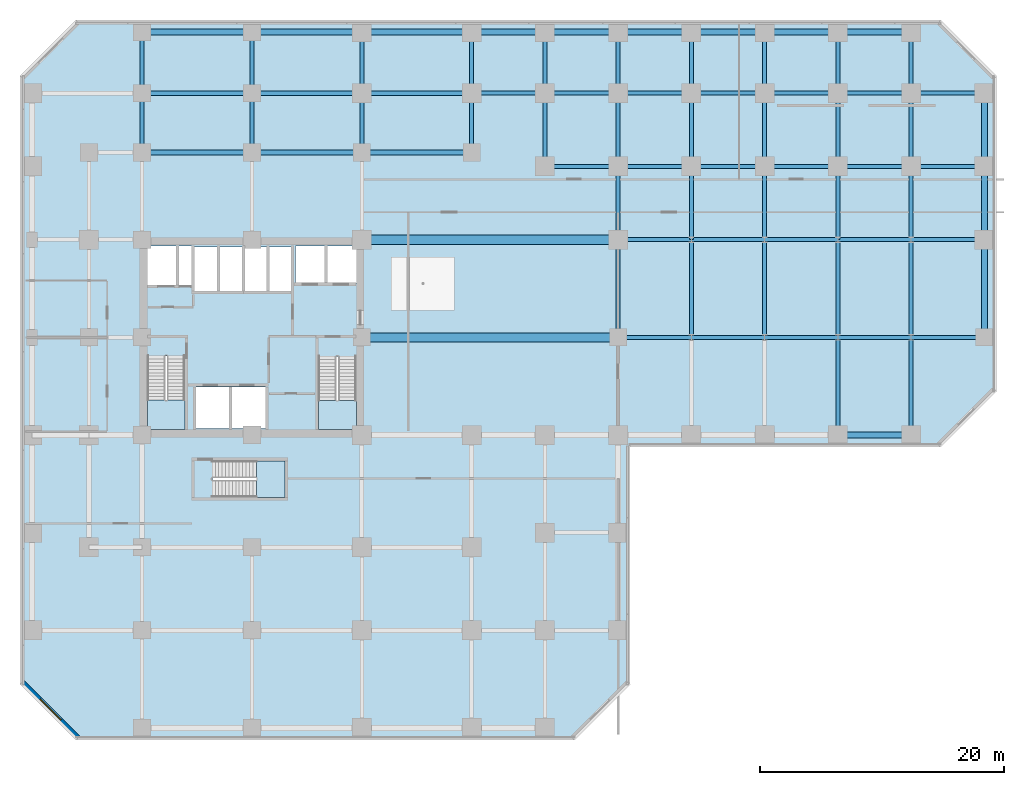
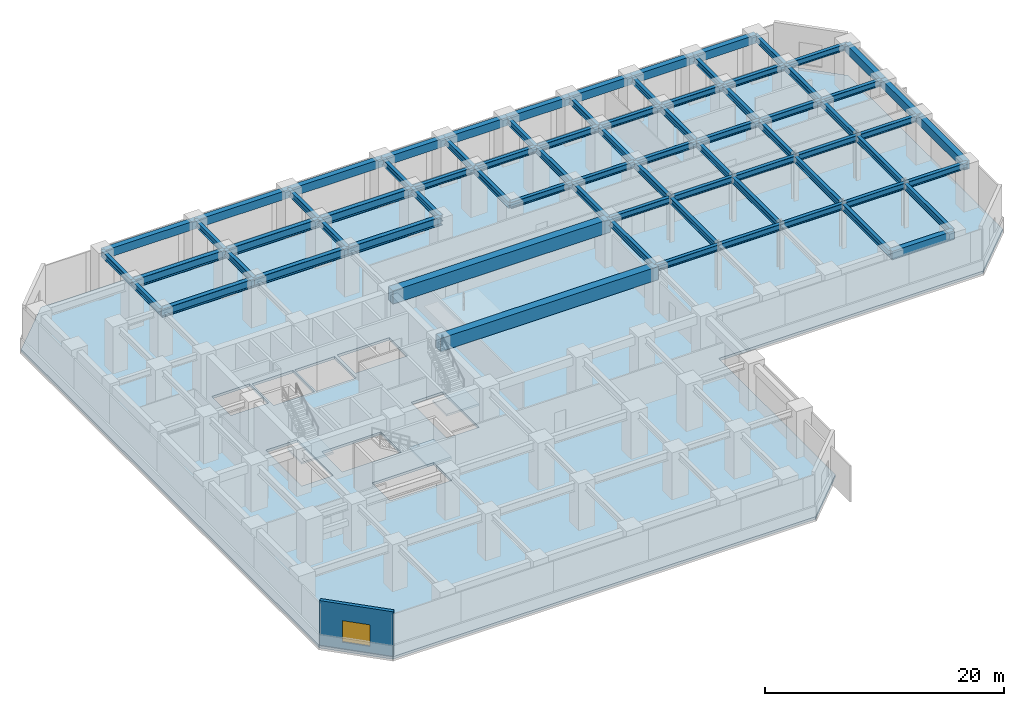
# One storey, part 2 of 12: 76 beams, 4 slabs, 1 wall, 1 window, 1 opening, 3 elements without a shape of their own.
"""IFC4 building model written with IfcOpenShell, lengths in metres."""

from ifc_helpers import new_model, si_unit, direction, frame, frame_2d, origin, origin_2d, place, context, subcontext, project, spatial, polyline, rectangle, i_section, outline, extrude, source, transform, mapped, material, layer, layer_set, material_profile, profile_set, type_object, element, fill, aggregate, save


model = new_model("IFC4")

# Units and contexts
model_context = context("Model", 3, precision=1e-05, world=origin(), true_north=direction((0.0, 1.0)))
body_context = subcontext(model_context, "Body", "Model", "MODEL_VIEW")
ifc_project = project(units=[si_unit("LENGTHUNIT", "METRE"), si_unit("AREAUNIT", "SQUARE_METRE"), si_unit("VOLUMEUNIT", "CUBIC_METRE"), si_unit("PLANEANGLEUNIT", "RADIAN"), si_unit("MASSUNIT", "GRAM", prefix="KILO")], contexts=[model_context])

# Site, building, storey
site_placement = place(None, origin())
site = spatial("IfcSite", under=ifc_project, at=site_placement, CompositionType="ELEMENT")
building_placement = place(site_placement, origin())
building = spatial("IfcBuilding", under=site, at=building_placement, Name="Torre Montelarca", CompositionType="ELEMENT")
storey_placement = place(building_placement, frame((0.0, 0.0, 17.39990234375)))
storey = spatial("IfcBuildingStorey", under=building, at=storey_placement, Name="L04", CompositionType="ELEMENT", Elevation=17.39990234375)

# Beams
ifc_material_1 = material(Name="Concrete C55/67", Category="concrete")
ifc_material_profile_1 = material_profile(ifc_material_1, rectangle(XDim=0.5, YDim=0.85009765625, at=origin_2d()), Name="RCB500X850", Category="concrete")
ifc_profile_set_1 = profile_set([ifc_material_profile_1], Name="Concrete C55/67")
beam_type_1 = type_object("IfcBeamType", Name="BM-SP-RC850-EXT", PredefinedType="SPANDREL", material=ifc_profile_set_1)
shared_shape_1 = source(origin(), body_context, "Body", "SweptSolid", [
    extrude(rectangle(XDim=0.5, YDim=0.85009765625, at=origin_2d()), origin(), (0.0, 0.0, 1.0), 9.0),
])
for number, where, z_axis, x_axis, name in (
    (1, (9.0, 57.0, 4.114990234375), (1.0, 0.0, 0.0), (0.0, 1.0, 0.0), "L04 Grid Girder X 9.0-18.0 at Y=57.0"),
    (2, (18.0, 57.0, 4.114990234375), (1.0, 0.0, 0.0), (0.0, 1.0, 0.0), "L04 Grid Girder X 18.0-27.0 at Y=57.0"),
    (3, (27.0, 57.0, 4.114990234375), (1.0, 0.0, 0.0), (0.0, 1.0, 0.0), "L04 Grid Girder X 27.0-36.0 at Y=57.0"),
):
    element("IfcBeam", number, at=place(storey_placement, frame(where, z_axis=z_axis, x_axis=x_axis)), inside=storey, type_object=beam_type_1, Name=name, PredefinedType="SPANDREL", context=body_context, shape_type="MappedRepresentation", body=[
        mapped(shared_shape_1, transform((0.0, 0.0, 0.0), scale=1.0)),
    ])
shared_shape_2 = source(origin(), body_context, "Body", "SweptSolid", [
    extrude(rectangle(XDim=0.5, YDim=0.85009765625, at=origin_2d()), origin(), (0.0, 0.0, 1.0), 6.0),
])
for number, where, z_axis, x_axis, name in (
    (4, (66.0, 24.0, 4.114990234375), (1.0, 0.0, 0.0), (0.0, 1.0, 0.0), "L04 Grid Girder X 66.0-72.0 at Y=24.0"),
    (5, (36.0, 57.0, 4.114990234375), (1.0, 0.0, 0.0), (0.0, 1.0, 0.0), "L04 Grid Girder X 36.0-42.0 at Y=57.0"),
    (6, (42.0, 57.0, 4.114990234375), (1.0, 0.0, 0.0), (0.0, 1.0, 0.0), "L04 Grid Girder X 42.0-48.0 at Y=57.0"),
    (7, (48.0, 57.0, 4.114990234375), (1.0, 0.0, 0.0), (0.0, 1.0, 0.0), "L04 Grid Girder X 48.0-54.0 at Y=57.0"),
    (8, (54.0, 57.0, 4.114990234375), (1.0, 0.0, 0.0), (0.0, 1.0, 0.0), "L04 Grid Girder X 54.0-60.0 at Y=57.0"),
    (9, (60.0, 57.0, 4.114990234375), (1.0, 0.0, 0.0), (0.0, 1.0, 0.0), "L04 Grid Girder X 60.0-66.0 at Y=57.0"),
    (10, (66.0, 57.0, 4.114990234375), (1.0, 0.0, 0.0), (0.0, 1.0, 0.0), "L04 Grid Girder X 66.0-72.0 at Y=57.0"),
    (11, (78.0, 40.0, 4.114990234375), (0.0, 1.0, 0.0), (-1.0, 0.0, 0.0), "L04 Grid Girder Y 40.0-46.0 at X=78.0"),
    (12, (78.0, 46.0, 4.114990234375), (0.0, 1.0, 0.0), (-1.0, 0.0, 0.0), "L04 Grid Girder Y 46.0-52.0 at X=78.0"),
):
    element("IfcBeam", number, at=place(storey_placement, frame(where, z_axis=z_axis, x_axis=x_axis)), inside=storey, type_object=beam_type_1, Name=name, PredefinedType="SPANDREL", context=body_context, shape_type="MappedRepresentation", body=[
        mapped(shared_shape_2, transform((0.0, 0.0, 0.0), scale=1.0)),
    ])
ifc_material_2 = material(Name="Steel ASTM A992 Grade 50", Category="steel")
ifc_material_profile_2 = material_profile(ifc_material_2, i_section(OverallWidth=0.39990234375, OverallDepth=0.85498046875, WebThickness=0.018310546875, FlangeThickness=0.029296875, FilletRadius=0.02001953125, at=origin_2d()), Name="W840X299", Category="steel")
ifc_profile_set_2 = profile_set([ifc_material_profile_2], Name="Steel ASTM A992 Grade 50")
beam_type_2 = type_object("IfcBeamType", Name="BM-G-W840", PredefinedType="BEAM", material=ifc_profile_set_2)
shared_shape_3 = source(origin(), body_context, "Body", "SweptSolid", [
    extrude(i_section(OverallWidth=0.39990234375, OverallDepth=0.85498046875, WebThickness=0.018310546875, FlangeThickness=0.029296875, FilletRadius=0.02001953125, at=origin_2d()), origin(), (0.0, 0.0, 1.0), 9.0),
])
for number, where, z_axis, x_axis, name in (
    (13, (9.0, 47.14990234375, 4.112060546875), (1.0, 0.0, 0.0), (0.0, 1.0, 0.0), "L04 Grid Girder X 9.0-18.0 at Y=47.1"),
    (14, (18.0, 47.14990234375, 4.112060546875), (1.0, 0.0, 0.0), (0.0, 1.0, 0.0), "L04 Grid Girder X 18.0-27.0 at Y=47.1"),
    (15, (27.0, 47.14990234375, 4.112060546875), (1.0, 0.0, 0.0), (0.0, 1.0, 0.0), "L04 Grid Girder X 27.0-36.0 at Y=47.1"),
    (16, (9.0, 52.0, 4.112060546875), (1.0, 0.0, 0.0), (0.0, 1.0, 0.0), "L04 Grid Girder X 9.0-18.0 at Y=52.0"),
    (17, (18.0, 52.0, 4.112060546875), (1.0, 0.0, 0.0), (0.0, 1.0, 0.0), "L04 Grid Girder X 18.0-27.0 at Y=52.0"),
    (18, (27.0, 52.0, 4.112060546875), (1.0, 0.0, 0.0), (0.0, 1.0, 0.0), "L04 Grid Girder X 27.0-36.0 at Y=52.0"),
):
    element("IfcBeam", number, at=place(storey_placement, frame(where, z_axis=z_axis, x_axis=x_axis)), inside=storey, type_object=beam_type_2, Name=name, PredefinedType="BEAM", context=body_context, shape_type="MappedRepresentation", body=[
        mapped(shared_shape_3, transform((0.0, 0.0, 0.0), scale=1.0)),
    ])
ifc_material_profile_3 = material_profile(ifc_material_2, i_section(OverallWidth=0.326904296875, OverallDepth=0.6220703125, WebThickness=0.015380859375, FlangeThickness=0.0244140625, FilletRadius=0.014892578125, at=origin_2d()), Name="W610X195", Category="steel")
ifc_profile_set_3 = profile_set([ifc_material_profile_3], Name="Steel ASTM A992 Grade 50")
beam_type_3 = type_object("IfcBeamType", Name="BM-G-W610H", PredefinedType="BEAM", material=ifc_profile_set_3)
shared_shape_4 = source(origin(), body_context, "Body", "SweptSolid", [
    extrude(i_section(OverallWidth=0.326904296875, OverallDepth=0.6220703125, WebThickness=0.015380859375, FlangeThickness=0.0244140625, FilletRadius=0.014892578125, at=origin_2d()), origin(), (0.0, 0.0, 1.0), 6.0),
])
for number, where, z_axis, x_axis, name in (
    (19, (48.0, 32.0, 4.22900390625), (1.0, 0.0, 0.0), (0.0, 1.0, 0.0), "L04 Grid Girder X 48.0-54.0 at Y=32.0"),
    (20, (54.0, 32.0, 4.22900390625), (1.0, 0.0, 0.0), (0.0, 1.0, 0.0), "L04 Grid Girder X 54.0-60.0 at Y=32.0"),
    (21, (60.0, 32.0, 4.22900390625), (1.0, 0.0, 0.0), (0.0, 1.0, 0.0), "L04 Grid Girder X 60.0-66.0 at Y=32.0"),
    (22, (66.0, 32.0, 4.22900390625), (1.0, 0.0, 0.0), (0.0, 1.0, 0.0), "L04 Grid Girder X 66.0-72.0 at Y=32.0"),
    (23, (72.0, 32.0, 4.22900390625), (1.0, 0.0, 0.0), (0.0, 1.0, 0.0), "L04 Grid Girder X 72.0-78.0 at Y=32.0"),
    (24, (48.0, 40.0, 4.22900390625), (1.0, 0.0, 0.0), (0.0, 1.0, 0.0), "L04 Grid Girder X 48.0-54.0 at Y=40.0"),
    (25, (54.0, 40.0, 4.22900390625), (1.0, 0.0, 0.0), (0.0, 1.0, 0.0), "L04 Grid Girder X 54.0-60.0 at Y=40.0"),
    (26, (60.0, 40.0, 4.22900390625), (1.0, 0.0, 0.0), (0.0, 1.0, 0.0), "L04 Grid Girder X 60.0-66.0 at Y=40.0"),
    (27, (66.0, 40.0, 4.22900390625), (1.0, 0.0, 0.0), (0.0, 1.0, 0.0), "L04 Grid Girder X 66.0-72.0 at Y=40.0"),
    (28, (72.0, 40.0, 4.22900390625), (1.0, 0.0, 0.0), (0.0, 1.0, 0.0), "L04 Grid Girder X 72.0-78.0 at Y=40.0"),
    (29, (42.0, 46.0, 4.22900390625), (1.0, 0.0, 0.0), (0.0, 1.0, 0.0), "L04 Grid Girder X 42.0-48.0 at Y=46.0"),
    (30, (48.0, 46.0, 4.22900390625), (1.0, 0.0, 0.0), (0.0, 1.0, 0.0), "L04 Grid Girder X 48.0-54.0 at Y=46.0"),
    (31, (54.0, 46.0, 4.22900390625), (1.0, 0.0, 0.0), (0.0, 1.0, 0.0), "L04 Grid Girder X 54.0-60.0 at Y=46.0"),
    (32, (60.0, 46.0, 4.22900390625), (1.0, 0.0, 0.0), (0.0, 1.0, 0.0), "L04 Grid Girder X 60.0-66.0 at Y=46.0"),
    (33, (66.0, 46.0, 4.22900390625), (1.0, 0.0, 0.0), (0.0, 1.0, 0.0), "L04 Grid Girder X 66.0-72.0 at Y=46.0"),
    (34, (72.0, 46.0, 4.22900390625), (1.0, 0.0, 0.0), (0.0, 1.0, 0.0), "L04 Grid Girder X 72.0-78.0 at Y=46.0"),
    (35, (36.0, 52.0, 4.22900390625), (1.0, 0.0, 0.0), (0.0, 1.0, 0.0), "L04 Grid Girder X 36.0-42.0 at Y=52.0"),
    (36, (42.0, 52.0, 4.22900390625), (1.0, 0.0, 0.0), (0.0, 1.0, 0.0), "L04 Grid Girder X 42.0-48.0 at Y=52.0"),
    (37, (48.0, 52.0, 4.22900390625), (1.0, 0.0, 0.0), (0.0, 1.0, 0.0), "L04 Grid Girder X 48.0-54.0 at Y=52.0"),
    (38, (54.0, 52.0, 4.22900390625), (1.0, 0.0, 0.0), (0.0, 1.0, 0.0), "L04 Grid Girder X 54.0-60.0 at Y=52.0"),
    (39, (60.0, 52.0, 4.22900390625), (1.0, 0.0, 0.0), (0.0, 1.0, 0.0), "L04 Grid Girder X 60.0-66.0 at Y=52.0"),
    (40, (66.0, 52.0, 4.22900390625), (1.0, 0.0, 0.0), (0.0, 1.0, 0.0), "L04 Grid Girder X 66.0-72.0 at Y=52.0"),
    (41, (72.0, 52.0, 4.22900390625), (1.0, 0.0, 0.0), (0.0, 1.0, 0.0), "L04 Grid Girder X 72.0-78.0 at Y=52.0"),
    (42, (42.0, 46.0, 4.22900390625), (0.0, 1.0, 0.0), (-1.0, 0.0, 0.0), "L04 Grid Girder Y 46.0-52.0 at X=42.0"),
    (43, (48.0, 40.0, 4.22900390625), (0.0, 1.0, 0.0), (-1.0, 0.0, 0.0), "L04 Grid Girder Y 40.0-46.0 at X=48.0"),
    (44, (48.0, 46.0, 4.22900390625), (0.0, 1.0, 0.0), (-1.0, 0.0, 0.0), "L04 Grid Girder Y 46.0-52.0 at X=48.0"),
    (45, (54.0, 40.0, 4.22900390625), (0.0, 1.0, 0.0), (-1.0, 0.0, 0.0), "L04 Grid Girder Y 40.0-46.0 at X=54.0"),
    (46, (54.0, 46.0, 4.22900390625), (0.0, 1.0, 0.0), (-1.0, 0.0, 0.0), "L04 Grid Girder Y 46.0-52.0 at X=54.0"),
    (47, (60.0, 40.0, 4.22900390625), (0.0, 1.0, 0.0), (-1.0, 0.0, 0.0), "L04 Grid Girder Y 40.0-46.0 at X=60.0"),
    (48, (60.0, 46.0, 4.22900390625), (0.0, 1.0, 0.0), (-1.0, 0.0, 0.0), "L04 Grid Girder Y 46.0-52.0 at X=60.0"),
    (49, (66.0, 40.0, 4.22900390625), (0.0, 1.0, 0.0), (-1.0, 0.0, 0.0), "L04 Grid Girder Y 40.0-46.0 at X=66.0"),
    (50, (66.0, 46.0, 4.22900390625), (0.0, 1.0, 0.0), (-1.0, 0.0, 0.0), "L04 Grid Girder Y 46.0-52.0 at X=66.0"),
    (51, (72.0, 40.0, 4.22900390625), (0.0, 1.0, 0.0), (-1.0, 0.0, 0.0), "L04 Grid Girder Y 40.0-46.0 at X=72.0"),
    (52, (72.0, 46.0, 4.22900390625), (0.0, 1.0, 0.0), (-1.0, 0.0, 0.0), "L04 Grid Girder Y 46.0-52.0 at X=72.0"),
):
    element("IfcBeam", number, at=place(storey_placement, frame(where, z_axis=z_axis, x_axis=x_axis)), inside=storey, type_object=beam_type_3, Name=name, PredefinedType="BEAM", context=body_context, shape_type="MappedRepresentation", body=[
        mapped(shared_shape_4, transform((0.0, 0.0, 0.0), scale=1.0)),
    ])
shared_shape_5 = source(origin(), body_context, "Body", "SweptSolid", [
    extrude(rectangle(XDim=0.5, YDim=0.85009765625, at=origin_2d()), origin(), (0.0, 0.0, 1.0), 8.0),
])
beam_placement = place(storey_placement, frame((78.0, 32.0, 4.114990234375), z_axis=(0.0, 1.0, 0.0), x_axis=(-1.0, 0.0, 0.0)))
element("IfcBeam", 53, at=beam_placement, inside=storey, type_object=beam_type_1, Name="L04 Grid Girder Y 32.0-40.0 at X=78.0", PredefinedType="SPANDREL", context=body_context, shape_type="MappedRepresentation", body=[
    mapped(shared_shape_5, transform((0.0, 0.0, 0.0), scale=1.0)),
])
shared_shape_6 = source(origin(), body_context, "Body", "SweptSolid", [
    extrude(i_section(OverallWidth=0.326904296875, OverallDepth=0.6220703125, WebThickness=0.015380859375, FlangeThickness=0.0244140625, FilletRadius=0.014892578125, at=origin_2d()), origin(), (0.0, 0.0, 1.0), 8.0),
])
for number, where, z_axis, x_axis, name in (
    (54, (48.0, 32.0, 4.22900390625), (0.0, 1.0, 0.0), (-1.0, 0.0, 0.0), "L04 Grid Girder Y 32.0-40.0 at X=48.0"),
    (55, (54.0, 32.0, 4.22900390625), (0.0, 1.0, 0.0), (-1.0, 0.0, 0.0), "L04 Grid Girder Y 32.0-40.0 at X=54.0"),
    (56, (60.0, 32.0, 4.22900390625), (0.0, 1.0, 0.0), (-1.0, 0.0, 0.0), "L04 Grid Girder Y 32.0-40.0 at X=60.0"),
    (57, (66.0, 24.0, 4.22900390625), (0.0, 1.0, 0.0), (-1.0, 0.0, 0.0), "L04 Grid Girder Y 24.0-32.0 at X=66.0"),
    (58, (66.0, 32.0, 4.22900390625), (0.0, 1.0, 0.0), (-1.0, 0.0, 0.0), "L04 Grid Girder Y 32.0-40.0 at X=66.0"),
    (59, (72.0, 24.0, 4.22900390625), (0.0, 1.0, 0.0), (-1.0, 0.0, 0.0), "L04 Grid Girder Y 24.0-32.0 at X=72.0"),
    (60, (72.0, 32.0, 4.22900390625), (0.0, 1.0, 0.0), (-1.0, 0.0, 0.0), "L04 Grid Girder Y 32.0-40.0 at X=72.0"),
):
    element("IfcBeam", number, at=place(storey_placement, frame(where, z_axis=z_axis, x_axis=x_axis)), inside=storey, type_object=beam_type_3, Name=name, PredefinedType="BEAM", context=body_context, shape_type="MappedRepresentation", body=[
        mapped(shared_shape_6, transform((0.0, 0.0, 0.0), scale=1.0)),
    ])
shared_shape_7 = source(origin(), body_context, "Body", "SweptSolid", [
    extrude(i_section(OverallWidth=0.326904296875, OverallDepth=0.6220703125, WebThickness=0.015380859375, FlangeThickness=0.0244140625, FilletRadius=0.014892578125, at=origin_2d()), origin(), (0.0, 0.0, 1.0), 4.85009765625),
])
for number, where, z_axis, x_axis, name in (
    (61, (9.0, 47.14990234375, 4.22900390625), (0.0, 1.0, 0.0), (-1.0, 0.0, 0.0), "L04 Grid Girder Y 47.1-52.0 at X=9.0"),
    (62, (18.0, 47.14990234375, 4.22900390625), (0.0, 1.0, 0.0), (-1.0, 0.0, 0.0), "L04 Grid Girder Y 47.1-52.0 at X=18.0"),
    (63, (27.0, 47.14990234375, 4.22900390625), (0.0, 1.0, 0.0), (-1.0, 0.0, 0.0), "L04 Grid Girder Y 47.1-52.0 at X=27.0"),
    (64, (36.0, 47.14990234375, 4.22900390625), (0.0, 1.0, 0.0), (-1.0, 0.0, 0.0), "L04 Grid Girder Y 47.1-52.0 at X=36.0"),
):
    element("IfcBeam", number, at=place(storey_placement, frame(where, z_axis=z_axis, x_axis=x_axis)), inside=storey, type_object=beam_type_3, Name=name, PredefinedType="BEAM", context=body_context, shape_type="MappedRepresentation", body=[
        mapped(shared_shape_7, transform((0.0, 0.0, 0.0), scale=1.0)),
    ])
shared_shape_8 = source(origin(), body_context, "Body", "SweptSolid", [
    extrude(i_section(OverallWidth=0.326904296875, OverallDepth=0.6220703125, WebThickness=0.015380859375, FlangeThickness=0.0244140625, FilletRadius=0.014892578125, at=origin_2d()), origin(), (0.0, 0.0, 1.0), 5.0),
])
for number, where, z_axis, x_axis, name in (
    (65, (9.0, 52.0, 4.22900390625), (0.0, 1.0, 0.0), (-1.0, 0.0, 0.0), "L04 Grid Girder Y 52.0-57.0 at X=9.0"),
    (66, (18.0, 52.0, 4.22900390625), (0.0, 1.0, 0.0), (-1.0, 0.0, 0.0), "L04 Grid Girder Y 52.0-57.0 at X=18.0"),
    (67, (27.0, 52.0, 4.22900390625), (0.0, 1.0, 0.0), (-1.0, 0.0, 0.0), "L04 Grid Girder Y 52.0-57.0 at X=27.0"),
    (68, (36.0, 52.0, 4.22900390625), (0.0, 1.0, 0.0), (-1.0, 0.0, 0.0), "L04 Grid Girder Y 52.0-57.0 at X=36.0"),
    (69, (42.0, 52.0, 4.22900390625), (0.0, 1.0, 0.0), (-1.0, 0.0, 0.0), "L04 Grid Girder Y 52.0-57.0 at X=42.0"),
    (70, (48.0, 52.0, 4.22900390625), (0.0, 1.0, 0.0), (-1.0, 0.0, 0.0), "L04 Grid Girder Y 52.0-57.0 at X=48.0"),
    (71, (54.0, 52.0, 4.22900390625), (0.0, 1.0, 0.0), (-1.0, 0.0, 0.0), "L04 Grid Girder Y 52.0-57.0 at X=54.0"),
    (72, (60.0, 52.0, 4.22900390625), (0.0, 1.0, 0.0), (-1.0, 0.0, 0.0), "L04 Grid Girder Y 52.0-57.0 at X=60.0"),
    (73, (66.0, 52.0, 4.22900390625), (0.0, 1.0, 0.0), (-1.0, 0.0, 0.0), "L04 Grid Girder Y 52.0-57.0 at X=66.0"),
    (74, (72.0, 52.0, 4.22900390625), (0.0, 1.0, 0.0), (-1.0, 0.0, 0.0), "L04 Grid Girder Y 52.0-57.0 at X=72.0"),
):
    element("IfcBeam", number, at=place(storey_placement, frame(where, z_axis=z_axis, x_axis=x_axis)), inside=storey, type_object=beam_type_3, Name=name, PredefinedType="BEAM", context=body_context, shape_type="MappedRepresentation", body=[
        mapped(shared_shape_8, transform((0.0, 0.0, 0.0), scale=1.0)),
    ])
ifc_material_profile_4 = material_profile(ifc_material_1, rectangle(XDim=0.75, YDim=1.35009765625, at=origin_2d()), Name="RCB750X1350", Category="concrete")
ifc_profile_set_4 = profile_set([ifc_material_profile_4], Name="Concrete C55/67")
beam_type_4 = type_object("IfcBeamType", Name="BM-TB-RC1350", PredefinedType="T_BEAM", material=ifc_profile_set_4)
shared_shape_9 = source(origin(), body_context, "Body", "SweptSolid", [
    extrude(rectangle(XDim=0.75, YDim=1.35009765625, at=origin_2d()), origin(), (0.0, 0.0, 1.0), 21.0),
])
for number, where, z_axis, x_axis, name in (
    (75, (27.0, 32.0, 3.864990234375), (1.0, 0.0, 0.0), (0.0, 1.0, 0.0), "L04 Long-Span Hall T-Beam Y=32m"),
    (76, (27.0, 40.0, 3.864990234375), (1.0, 0.0, 0.0), (0.0, 1.0, 0.0), "L04 Long-Span Hall T-Beam Y=40m"),
):
    element("IfcBeam", number, at=place(storey_placement, frame(where, z_axis=z_axis, x_axis=x_axis)), inside=storey, type_object=beam_type_4, Name=name, PredefinedType="T_BEAM", context=body_context, shape_type="MappedRepresentation", body=[
        mapped(shared_shape_9, transform((0.0, 0.0, 0.0), scale=1.0)),
    ])

# Slab
ifc_material_3 = material(Name="Concrete C40/50", Category="concrete")
ifc_layer_1 = layer(ifc_material_3, 0.260009765625, Name="Concrete C40/50", Category="concrete")
ifc_layer_set_1 = layer_set([ifc_layer_1], Name="Concrete C40/50")
slab_type_1 = type_object("IfcSlabType", Name="SL-FLR-260", PredefinedType="FLOOR", material=ifc_layer_set_1)
slab_1_placement = place(storey_placement, frame((0.0, 0.0, -0.260009765625)))
element("IfcSlab", 77, at=slab_1_placement, inside=storey, type_object=slab_type_1, Name="L04 Structural Floor Slab", PredefinedType="FLOOR", context=body_context, shape_type="SweptSolid", body=[
    extrude(outline(polyline([(44.39990234375, -0.89990234375), (48.89990234375, 3.60009765625), (48.89990234375, 23.10009765625), (74.39990234375, 23.10009765625), (78.89990234375, 27.60009765625), (78.89990234375, 53.39990234375), (74.39990234375, 57.89990234375), (3.60009765625, 57.89990234375), (-0.89990234375, 53.39990234375), (-0.89990234375, 3.60009765625), (3.60009765625, -0.89990234375), (44.39990234375, -0.89990234375)]), holes=[polyline([(20.699951171875, 18.89990234375), (14.760009765625, 18.89990234375), (14.760009765625, 21.889892578125), (20.699951171875, 21.889892578125), (20.699951171875, 18.89990234375)]), polyline([(19.10009765625, 24.550048828125), (13.39990234375, 24.550048828125), (13.39990234375, 27.949951171875), (19.10009765625, 27.949951171875), (19.10009765625, 24.550048828125)]), polyline([(23.43994140625, 24.449951171875), (23.43994140625, 30.429931640625), (26.550048828125, 30.429931640625), (26.550048828125, 24.449951171875), (23.43994140625, 24.449951171875)]), polyline([(9.449951171875, 24.449951171875), (9.449951171875, 30.4599609375), (12.5, 30.4599609375), (12.5, 24.449951171875), (9.449951171875, 24.449951171875)]), polyline([(17.25, 35.800048828125), (13.300048828125, 35.800048828125), (13.300048828125, 39.39990234375), (17.25, 39.39990234375), (17.25, 35.800048828125)]), polyline([(21.25, 35.800048828125), (17.39990234375, 35.800048828125), (17.39990234375, 39.39990234375), (21.25, 39.39990234375), (21.25, 35.800048828125)]), polyline([(13.1201171875, 36.300048828125), (9.449951171875, 36.300048828125), (9.449951171875, 39.5), (13.1201171875, 39.5), (13.1201171875, 36.300048828125)]), polyline([(26.60009765625, 36.449951171875), (21.550048828125, 36.449951171875), (21.550048828125, 39.5), (26.60009765625, 39.5), (26.60009765625, 36.449951171875)])]), origin(), (0.0, 0.0, 1.0), 0.260009765625),
])

# Stair, slab
stair_type_1 = type_object("IfcStairType", Name="ST-CORE-ST1", PredefinedType="HALF_TURN_STAIR", material=ifc_material_3)
stair_1_placement = place(storey_placement, origin())
stair_1 = element("IfcStair", 78, at=stair_1_placement, inside=storey, type_object=stair_type_1, Name="L04 Protected Exit Stair ST1", PredefinedType="HALF_TURN_STAIR")
ifc_layer_2 = layer(ifc_material_3, 0.199951171875, Name="Concrete C40/50", Category="concrete")
ifc_layer_set_2 = layer_set([ifc_layer_2], Name="Concrete C40/50")
slab_type_2 = type_object("IfcSlabType", Name="SL-ST-LAND-ST1", PredefinedType="LANDING", material=ifc_layer_set_2)
slab_2_placement = place(storey_placement, frame((0.0, 0.0, 2.2001953125)))
slab_2 = element("IfcSlab", 79, at=slab_2_placement, type_object=slab_type_2, Name="ST1 landing 1", PredefinedType="LANDING", context=body_context, shape_type="SweptSolid", body=[
    extrude(outline(polyline([(9.449951171875, 26.860107421875), (9.449951171875, 24.449951171875), (12.5, 24.449951171875), (12.5, 26.860107421875), (9.449951171875, 26.860107421875)])), origin(), (0.0, 0.0, 1.0), 0.199951171875),
])
aggregate(stair_1, [slab_2])

stair_type_2 = type_object("IfcStairType", Name="ST-CORE-ST2", PredefinedType="HALF_TURN_STAIR", material=ifc_material_3)
stair_2_placement = place(storey_placement, origin())
stair_2 = element("IfcStair", 80, at=stair_2_placement, inside=storey, type_object=stair_type_2, Name="L04 Protected Exit Stair ST2", PredefinedType="HALF_TURN_STAIR")
ifc_layer_3 = layer(ifc_material_3, 0.199951171875, Name="Concrete C40/50", Category="concrete")
ifc_layer_set_3 = layer_set([ifc_layer_3], Name="Concrete C40/50")
slab_type_3 = type_object("IfcSlabType", Name="SL-ST-LAND-ST2", PredefinedType="LANDING", material=ifc_layer_set_3)
slab_3_placement = place(storey_placement, frame((0.0, 0.0, 2.2001953125)))
slab_3 = element("IfcSlab", 81, at=slab_3_placement, type_object=slab_type_3, Name="ST2 landing 1", PredefinedType="LANDING", context=body_context, shape_type="SweptSolid", body=[
    extrude(outline(polyline([(23.43994140625, 26.830078125), (23.43994140625, 24.449951171875), (26.550048828125, 24.449951171875), (26.550048828125, 26.830078125), (23.43994140625, 26.830078125)])), origin(), (0.0, 0.0, 1.0), 0.199951171875),
])
aggregate(stair_2, [slab_3])

stair_type_3 = type_object("IfcStairType", Name="ST-CORE-ST3", PredefinedType="HALF_TURN_STAIR", material=ifc_material_3)
stair_3_placement = place(storey_placement, origin())
stair_3 = element("IfcStair", 82, at=stair_3_placement, inside=storey, type_object=stair_type_3, Name="L04 Low-Rise Exit Stair ST3", PredefinedType="HALF_TURN_STAIR")
ifc_layer_4 = layer(ifc_material_3, 0.199951171875, Name="Concrete C40/50", Category="concrete")
ifc_layer_set_4 = layer_set([ifc_layer_4], Name="Concrete C40/50")
slab_type_4 = type_object("IfcSlabType", Name="SL-ST-LAND-ST3", PredefinedType="LANDING", material=ifc_layer_set_4)
slab_4_placement = place(storey_placement, frame((0.0, 0.0, 2.2001953125)))
slab_4 = element("IfcSlab", 83, at=slab_4_placement, type_object=slab_type_4, Name="ST3 landing 1", PredefinedType="LANDING", context=body_context, shape_type="SweptSolid", body=[
    extrude(outline(polyline([(18.360107421875, 18.89990234375), (20.699951171875, 18.89990234375), (20.699951171875, 21.889892578125), (18.360107421875, 21.889892578125), (18.360107421875, 18.89990234375)])), origin(), (0.0, 0.0, 1.0), 0.199951171875),
])
aggregate(stair_3, [slab_4])

# Wall, opening, window
ifc_material_4 = material(Name="Precast concrete C45/55", Category="concrete")
ifc_layer_5 = layer(ifc_material_4, 0.320068359375, Name="Precast concrete C45/55", Category="concrete")
ifc_layer_set_5 = layer_set([ifc_layer_5], Name="Precast concrete C45/55")
wall_type = type_object("IfcWallType", Name="EW-CONC-320", PredefinedType="SOLIDWALL", material=ifc_layer_set_5)
wall_placement = place(storey_placement, frame((-0.744384765625, 3.755615234375, 0.0), z_axis=(0.0, 0.0, 1.0), x_axis=(0.707106781187, -0.707106781187, 0.0)))
wall = element("IfcWall", 84, at=wall_placement, inside=storey, type_object=wall_type, Name="L04 Podium Precast Concrete Wall E11", PredefinedType="SOLIDWALL", context=body_context, shape_type="SweptSolid", body=[
    extrude(rectangle(XDim=6.364013671875, YDim=0.320068359375, at=frame_2d((3.18212890625, 0.0))), origin(), (0.0, 0.0, 1.0), 4.5400390625),
])
opening_placement = place(wall_placement, frame((1.98193359375, 0.0, 0.64990234375)))
opening = element("IfcOpeningElement", 85, at=opening_placement, cuts=wall, Name="Opening W-04", PredefinedType="OPENING", context=body_context, shape_type="SweptSolid", body=[
    extrude(rectangle(XDim=2.39990234375, YDim=2.199951171875, at=frame_2d((1.199951171875, 1.10009765625))), frame((0.0, 0.169921875, 0.0), z_axis=(0.0, -1.0, 0.0), x_axis=(1.0, 0.0, 0.0)), (0.0, 0.0, 1.0), 0.340087890625),
])
ifc_material_5 = material(Name="Insulated low-E laminated glass in aluminium frame", Category="aluminium")
window_type = type_object("IfcWindowType", Name="WIN-W04", PartitioningType="DOUBLE_PANEL_VERTICAL", PredefinedType="WINDOW", material=ifc_material_5)
shared_shape_10 = source(origin(), body_context, "Body", "SweptSolid", [
    extrude(rectangle(XDim=2.39990234375, YDim=2.199951171875, at=frame_2d((1.199951171875, 1.10009765625))), frame((0.0, 0.030029296875, 0.0), z_axis=(0.0, -1.0, 0.0), x_axis=(1.0, 0.0, 0.0)), (0.0, 0.0, 1.0), 0.06005859375),
])
window_placement = place(opening_placement, origin())
window = element("IfcWindow", 86, at=window_placement, inside=storey, type_object=window_type, Name="L04 Podium Chamfer Feature Window E11", OverallHeight=2.199951171875, OverallWidth=2.39990234375, PartitioningType="DOUBLE_PANEL_VERTICAL", PredefinedType="WINDOW", context=body_context, shape_type="MappedRepresentation", body=[
    mapped(shared_shape_10, transform((0.0, 0.0, 0.0), scale=1.0)),
])
fill(opening, window)

save(model, "model.ifc")
